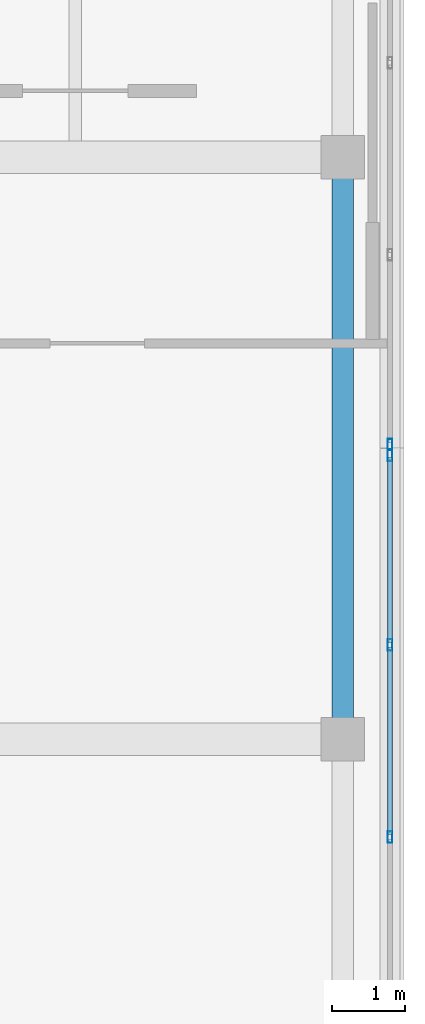
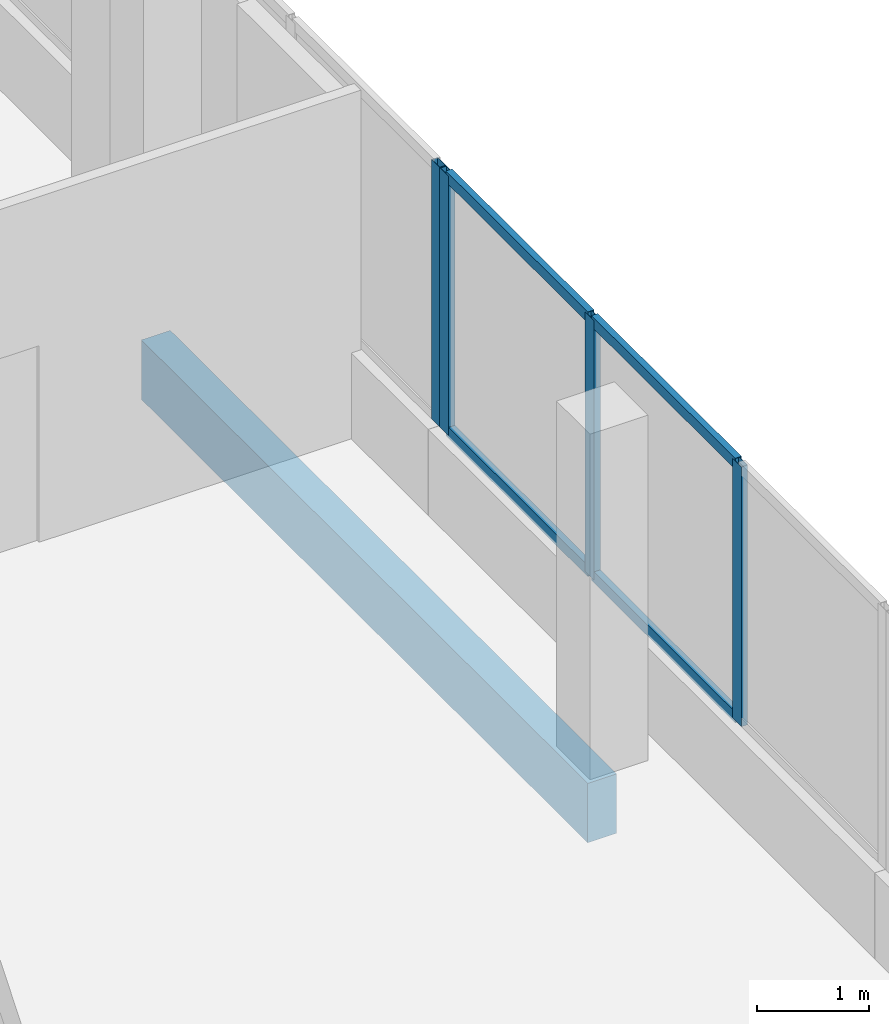
# One storey, part 54 of 76: 8 members, 1 beam, 2 elements without a shape of their own.
"""IFC4 building model written with IfcOpenShell, lengths in metres."""

import ifcopenshell
import ifcopenshell.guid

model = None  # the IFC model being written
_history = None  # IfcOwnerHistory: only IFC2X3 demands one
_inside = {}  # id of a spatial element -> (the spatial element, [elements in it])
_under = {}  # id of a project, library or spatial element -> (it, [spatial elements below it])
_declared = {}  # id of a project -> (the project, [libraries it declares])
_typed = {}  # id of a type object -> (the type object, [elements of that type])
_made_of = {}  # id of a material, layer set ... -> (it, [elements and type objects made of it])


def new_model(schema):
    """Start an empty IFC model of exactly this schema.

    Asked for "IFC4X3", IfcOpenShell would pick the latest addendum, in which some entities
    have other attributes; the version numbers below select the first issue.
    IFC2X3 requires an IfcOwnerHistory on every rooted entity: one is made here for all.
    """
    global model, _history
    if schema == "IFC4X3":
        model = ifcopenshell.file(schema_version=(4, 3, 0, 0))
    else:
        model = ifcopenshell.file(schema=schema)
    _inside.clear()
    _under.clear()
    _declared.clear()
    _typed.clear()
    _made_of.clear()
    _history = None
    if model.schema == "IFC2X3":
        org = make("IfcOrganization", Name="unknown")
        user = make(
            "IfcPersonAndOrganization",
            ThePerson=make("IfcPerson", FamilyName="unknown"),
            TheOrganization=org,
        )
        app = make(
            "IfcApplication",
            ApplicationDeveloper=org,
            Version="unknown",
            ApplicationFullName="unknown",
            ApplicationIdentifier="unknown",
        )
        _history = make(
            "IfcOwnerHistory",
            OwningUser=user,
            OwningApplication=app,
            ChangeAction="ADDED",
            CreationDate=0,
        )
    return model


def make(cls, **values):
    """One entity of the class cls with the attributes given. An attribute that is None is left unset."""
    return model.create_entity(
        cls, **{name: value for name, value in values.items() if value is not None}
    )


def rooted(cls, **values):
    """An entity with a GlobalId (a new one), such as an element, a storey or a relation."""
    return make(cls, GlobalId=ifcopenshell.guid.new(), OwnerHistory=_history, **values)


def si_unit(unit_type, name, prefix=None):
    """IfcSIUnit, for example si_unit("LENGTHUNIT", "METRE", prefix="MILLI")."""
    return make("IfcSIUnit", UnitType=unit_type, Prefix=prefix, Name=name)


def assignment(units):
    """IfcUnitAssignment: the units of a project."""
    return None if units is None else make("IfcUnitAssignment", Units=units)


def point(xyz):
    """IfcCartesianPoint."""
    return None if xyz is None else make("IfcCartesianPoint", Coordinates=xyz)


def direction(xyz):
    """IfcDirection."""
    return None if xyz is None else make("IfcDirection", DirectionRatios=xyz)


def frame(location, z_axis=None, x_axis=None):
    """IfcAxis2Placement3D, a coordinate frame: its origin and axes. An axis left out is left unset."""
    return make(
        "IfcAxis2Placement3D",
        Location=point(location),
        Axis=direction(z_axis),
        RefDirection=direction(x_axis),
    )


def frame_2d(location, x_axis=None):
    """IfcAxis2Placement2D, a coordinate frame in the plane: its origin and x axis."""
    return make(
        "IfcAxis2Placement2D", Location=point(location), RefDirection=direction(x_axis)
    )


def origin():
    """The frame at (0, 0, 0) with its axes left unset."""
    return frame((0.0, 0.0, 0.0))


def origin_2d():
    """The frame at (0, 0) in the plane with its x axis left unset."""
    return frame_2d((0.0, 0.0))


def place(relative_to, where):
    """IfcLocalPlacement: puts the frame where relative to a parent placement (None: the world)."""
    return make(
        "IfcLocalPlacement", PlacementRelTo=relative_to, RelativePlacement=where
    )


def context(
    kind, dimensions, precision=None, world=None, true_north=None, identifier=None
):
    """IfcGeometricRepresentationContext, for example the 3D "Model" context."""
    return make(
        "IfcGeometricRepresentationContext",
        ContextIdentifier=identifier,
        ContextType=kind,
        CoordinateSpaceDimension=dimensions,
        Precision=precision,
        WorldCoordinateSystem=world,
        TrueNorth=true_north,
    )


def subcontext(parent, identifier, kind, view, scale=None):
    """IfcGeometricRepresentationSubContext, for example "Body" below "Model"."""
    return make(
        "IfcGeometricRepresentationSubContext",
        ContextIdentifier=identifier,
        ContextType=kind,
        ParentContext=parent,
        TargetScale=scale,
        TargetView=view,
    )


def project(units=None, contexts=None):
    """IfcProject with its units and contexts."""
    return rooted(
        "IfcProject",
        Name="project",
        RepresentationContexts=contexts,
        UnitsInContext=assignment(units),
    )


def spatial(cls, under=None, at=None, **own):
    """A site, building, storey or space (cls), placed at a placement, below another one or the project."""
    s = rooted(cls, ObjectPlacement=at, **own)
    if under is not None:
        _under.setdefault(under.id(), (under, []))[1].append(s)
    return s


def profile(cls, at=None, kind="AREA", **sizes):
    """A parametric profile (cls). Its sizes go by their IFC names, for example OverallWidth=200.0."""
    return make(cls, ProfileType=kind, Position=at, **sizes)


def rectangle(**sizes):
    """IfcRectangleProfileDef."""
    return profile("IfcRectangleProfileDef", **sizes)


def hollow_rectangle(**sizes):
    """IfcRectangleHollowProfileDef."""
    return profile("IfcRectangleHollowProfileDef", **sizes)


def extrude(swept, where, along, depth):
    """IfcExtrudedAreaSolid: the profile swept, set in the frame where, extruded along a direction by depth."""
    return make(
        "IfcExtrudedAreaSolid",
        SweptArea=swept,
        Position=where,
        ExtrudedDirection=direction(along),
        Depth=depth,
    )


def shape(context_of_items, identifier, shape_type, items):
    """IfcShapeRepresentation: the items that make up one representation, for example the "Body"."""
    return make(
        "IfcShapeRepresentation",
        ContextOfItems=context_of_items,
        RepresentationIdentifier=identifier,
        RepresentationType=shape_type,
        Items=items,
    )


def material(Name=None, Category=None):
    """IfcMaterial."""
    return make("IfcMaterial", Name=Name, Category=Category)


def material_profile(
    of_material, cross_section, Name=None, Category=None, Priority=None
):
    """IfcMaterialProfile: a cross section and its material."""
    return make(
        "IfcMaterialProfile",
        Name=Name,
        Material=of_material,
        Profile=cross_section,
        Priority=Priority,
        Category=Category,
    )


def profile_set(profiles, Name=None, composite=None):
    """IfcMaterialProfileSet."""
    return make(
        "IfcMaterialProfileSet",
        Name=Name,
        MaterialProfiles=profiles,
        CompositeProfile=composite,
    )


def made_of(thing, what):
    """Note that an element or type object is made of a material, layer set ...; save() writes the relation."""
    if what is not None:
        _made_of.setdefault(what.id(), (what, []))[1].append(thing)
    return thing


def type_object(cls, material=None, **own):
    """A type object (cls), such as IfcWallType, which elements share."""
    return made_of(rooted(cls, **own), material)


def element(
    cls,
    number,
    at=None,
    inside=None,
    cuts=None,
    type_object=None,
    material=None,
    context=None,
    identifier="Body",
    shape_type=None,
    held_by="IfcProductDefinitionShape",
    body=None,
    shapes=None,
    **own,
):
    """One element of the class cls, such as IfcWall. Its Tag is "e" and its number.

    at: its placement. inside: the storey or other place that contains it. cuts: it is an
    opening in that element (IfcRelVoidsElement). A single representation is given by context,
    identifier, shape_type and body (its items); several are given by shapes. held_by: the class
    of the entity that holds the representations. save() writes the other relations.
    """
    e = rooted(cls, Tag="e%d" % number, ObjectPlacement=at, **own)
    if body is not None:
        shapes = [shape(context, identifier, shape_type, body)]
    if shapes is not None:
        e.Representation = make(held_by, Representations=shapes)
    if inside is not None:
        _inside.setdefault(inside.id(), (inside, []))[1].append(e)
    if cuts is not None:
        rooted(
            "IfcRelVoidsElement", RelatingBuildingElement=cuts, RelatedOpeningElement=e
        )
    if type_object is not None:
        _typed.setdefault(type_object.id(), (type_object, []))[1].append(e)
    return made_of(e, material)


def aggregate(whole, parts):
    """IfcRelAggregates: a whole, such as a stair, and the parts it consists of."""
    return rooted("IfcRelAggregates", RelatingObject=whole, RelatedObjects=parts)


def save(model, path):
    """Write the relations noted so far, then the file.

    IfcRelAggregates (storeys below a building ...), IfcRelContainedInSpatialStructure (elements
    in a storey), IfcRelDefinesByType, IfcRelAssociatesMaterial and IfcRelDeclares: one each for
    every whole, place, type object, material and project.
    """
    for whole, parts in _under.values():
        aggregate(whole, parts)
    for where, things in _inside.values():
        rooted(
            "IfcRelContainedInSpatialStructure",
            RelatedElements=things,
            RelatingStructure=where,
        )
    for kind, things in _typed.values():
        rooted("IfcRelDefinesByType", RelatedObjects=things, RelatingType=kind)
    for what, things in _made_of.values():
        rooted("IfcRelAssociatesMaterial", RelatedObjects=things, RelatingMaterial=what)
    for by, libraries in _declared.values():
        rooted("IfcRelDeclares", RelatingContext=by, RelatedDefinitions=libraries)
    model.write(path)


model = new_model("IFC4")

# Units and contexts
model_context = context("Model", 3, precision=1e-05, world=origin(), true_north=direction((0.0, 1.0)))
body_context = subcontext(model_context, "Body", "Model", "MODEL_VIEW")
ifc_project = project(units=[si_unit("LENGTHUNIT", "METRE"), si_unit("AREAUNIT", "SQUARE_METRE"), si_unit("VOLUMEUNIT", "CUBIC_METRE"), si_unit("PLANEANGLEUNIT", "RADIAN"), si_unit("MASSUNIT", "GRAM", prefix="KILO")], contexts=[model_context])

# Site, building, storey
site_placement = place(None, origin())
site = spatial("IfcSite", under=ifc_project, at=site_placement, CompositionType="ELEMENT")
building_placement = place(site_placement, origin())
building = spatial("IfcBuilding", under=site, at=building_placement, Name="Selatvlak General Hospital", CompositionType="ELEMENT")
storey_placement = place(building_placement, frame((0.0, 0.0, 27.300048828125)))
storey = spatial("IfcBuildingStorey", under=building, at=storey_placement, Name="L06", CompositionType="ELEMENT", Elevation=27.300048828125)

# Beam
ifc_material_1 = material(Name="Concrete C40/50", Category="concrete")
ifc_material_profile_1 = material_profile(ifc_material_1, rectangle(XDim=0.300048828125, YDim=0.64990234375, at=origin_2d()), Name="RC-SP 300x650")
ifc_profile_set_1 = profile_set([ifc_material_profile_1], Name="Concrete C40/50")
beam_type = type_object("IfcBeamType", Name="BM-SP1", PredefinedType="SPANDREL", material=ifc_profile_set_1)
beam_placement = place(storey_placement, frame((181.35009765625, 100.0, -0.60009765625), z_axis=(0.0, 1.0, 0.0), x_axis=(-1.0, 0.0, 0.0)))
element("IfcBeam", 1, at=beam_placement, inside=storey, type_object=beam_type, Name="Beam BMR-L06-2351", PredefinedType="SPANDREL", context=body_context, shape_type="SweptSolid", body=[
    extrude(rectangle(XDim=0.300048828125, YDim=0.64990234375, at=origin_2d()), origin(), (0.0, 0.0, 1.0), 8.0),
])

# Curtain wall, member
ifc_material_2 = material(Name="Solar-control Low-E double glazing", Category="glass")
curtain_wall_type_1 = type_object("IfcCurtainWallType", Name="CW-CW-01", PredefinedType="USERDEFINED", material=ifc_material_2)
curtain_wall_1_placement = place(storey_placement, origin())
curtain_wall_1 = element("IfcCurtainWall", 2, at=curtain_wall_1_placement, inside=storey, type_object=curtain_wall_type_1, Name="Glazed facade curtain wall CW-L06-0618", ObjectType="UNITISED CURTAIN WALL", PredefinedType="USERDEFINED")
ifc_material_3 = material(Name="Dark anodised aluminium mullion", Category="aluminium")
ifc_material_profile_2 = material_profile(ifc_material_3, hollow_rectangle(XDim=0.06494140625, YDim=0.159912109375, WallThickness=0.00390625, at=origin_2d()), Name="AL-MUL 65x160x4")
ifc_profile_set_2 = profile_set([ifc_material_profile_2], Name="Dark anodised aluminium mullion")
member_type_1 = type_object("IfcMemberType", Name="CWM-01", PredefinedType="MULLION", material=ifc_profile_set_2)
member_1_placement = place(storey_placement, frame((182.0, 104.048583984375, 0.93994140625), z_axis=(0.0, 0.0, 1.0), x_axis=(0.999999992027, 0.000126278568, 0.0)))
member_1 = element("IfcMember", 3, at=member_1_placement, type_object=member_type_1, Name="CW-01 mullion 4", PredefinedType="MULLION", context=body_context, shape_type="SweptSolid", body=[
    extrude(hollow_rectangle(XDim=0.06494140625, YDim=0.159912109375, WallThickness=0.00390625, at=origin_2d()), origin(), (0.0, 0.0, 1.0), 2.840087890625),
])
aggregate(curtain_wall_1, [member_1])

# Curtain wall, members
curtain_wall_type_2 = type_object("IfcCurtainWallType", Name="CW-CW-02", PredefinedType="USERDEFINED", material=ifc_material_2)
curtain_wall_2_placement = place(storey_placement, origin())
curtain_wall_2 = element("IfcCurtainWall", 4, at=curtain_wall_2_placement, inside=storey, type_object=curtain_wall_type_2, Name="Glazed facade curtain wall CW-L06-0619", ObjectType="UNITISED CURTAIN WALL", PredefinedType="USERDEFINED")
member_2_placement = place(storey_placement, frame((182.0, 103.903564453125, 0.93994140625), z_axis=(0.0, 0.0, 1.0), x_axis=(1.0, 0.0, 0.0)))
member_2 = element("IfcMember", 5, at=member_2_placement, type_object=member_type_1, Name="CW-02 mullion 1", PredefinedType="MULLION", context=body_context, shape_type="SweptSolid", body=[
    extrude(hollow_rectangle(XDim=0.06494140625, YDim=0.159912109375, WallThickness=0.00390625, at=origin_2d()), origin(), (0.0, 0.0, 1.0), 2.840087890625),
])
member_3_placement = place(storey_placement, frame((182.0, 101.2958984375, 0.93994140625), z_axis=(0.0, 0.0, 1.0), x_axis=(1.0, 0.0, 0.0)))
member_3 = element("IfcMember", 6, at=member_3_placement, type_object=member_type_1, Name="CW-02 mullion 2", PredefinedType="MULLION", context=body_context, shape_type="SweptSolid", body=[
    extrude(hollow_rectangle(XDim=0.06494140625, YDim=0.159912109375, WallThickness=0.00390625, at=origin_2d()), origin(), (0.0, 0.0, 1.0), 2.840087890625),
])
member_4_placement = place(storey_placement, frame((182.0, 98.656005859375, 0.93994140625), z_axis=(0.0, 0.0, 1.0), x_axis=(1.0, 0.0, 0.0)))
member_4 = element("IfcMember", 7, at=member_4_placement, type_object=member_type_1, Name="CW-02 mullion 3", PredefinedType="MULLION", context=body_context, shape_type="SweptSolid", body=[
    extrude(hollow_rectangle(XDim=0.06494140625, YDim=0.159912109375, WallThickness=0.00390625, at=origin_2d()), origin(), (0.0, 0.0, 1.0), 2.840087890625),
])
ifc_material_profile_3 = material_profile(ifc_material_3, hollow_rectangle(XDim=0.06494140625, YDim=0.1201171875, WallThickness=0.00390625, at=origin_2d()), Name="AL-TRN 65x120x4")
ifc_profile_set_3 = profile_set([ifc_material_profile_3], Name="Dark anodised aluminium mullion")
member_type_2 = type_object("IfcMemberType", Name="CWT-01", PredefinedType="USERDEFINED", material=ifc_profile_set_3)
member_5_placement = place(storey_placement, frame((182.0, 103.87109375, 0.972412109375), z_axis=(0.0, -1.0, 0.0), x_axis=(1.0, 0.0, 0.0)))
member_5 = element("IfcMember", 8, at=member_5_placement, type_object=member_type_2, Name="CW-02 transom 1.1", ObjectType="TRANSOM", PredefinedType="USERDEFINED", context=body_context, shape_type="SweptSolid", body=[
    extrude(hollow_rectangle(XDim=0.06494140625, YDim=0.1201171875, WallThickness=0.00390625, at=origin_2d()), origin(), (0.0, 0.0, 1.0), 2.54248046875),
])
member_6_placement = place(storey_placement, frame((182.0, 103.87109375, 3.74755859375), z_axis=(0.0, -1.0, 0.0), x_axis=(1.0, 0.0, 0.0)))
member_6 = element("IfcMember", 9, at=member_6_placement, type_object=member_type_2, Name="CW-02 transom 1.2", ObjectType="TRANSOM", PredefinedType="USERDEFINED", context=body_context, shape_type="SweptSolid", body=[
    extrude(hollow_rectangle(XDim=0.06494140625, YDim=0.1201171875, WallThickness=0.00390625, at=origin_2d()), origin(), (0.0, 0.0, 1.0), 2.54248046875),
])
member_7_placement = place(storey_placement, frame((182.0, 101.263427734375, 0.972412109375), z_axis=(0.0, -1.0, 0.0), x_axis=(1.0, 0.0, 0.0)))
member_7 = element("IfcMember", 10, at=member_7_placement, type_object=member_type_2, Name="CW-02 transom 2.1", ObjectType="TRANSOM", PredefinedType="USERDEFINED", context=body_context, shape_type="SweptSolid", body=[
    extrude(hollow_rectangle(XDim=0.06494140625, YDim=0.1201171875, WallThickness=0.00390625, at=origin_2d()), origin(), (0.0, 0.0, 1.0), 2.574951171875),
])
member_8_placement = place(storey_placement, frame((182.0, 101.263427734375, 3.74755859375), z_axis=(0.0, -1.0, 0.0), x_axis=(1.0, 0.0, 0.0)))
member_8 = element("IfcMember", 11, at=member_8_placement, type_object=member_type_2, Name="CW-02 transom 2.2", ObjectType="TRANSOM", PredefinedType="USERDEFINED", context=body_context, shape_type="SweptSolid", body=[
    extrude(hollow_rectangle(XDim=0.06494140625, YDim=0.1201171875, WallThickness=0.00390625, at=origin_2d()), origin(), (0.0, 0.0, 1.0), 2.574951171875),
])
aggregate(curtain_wall_2, [member_2, member_3, member_4, member_5, member_6, member_7, member_8])

save(model, "model.ifc")
